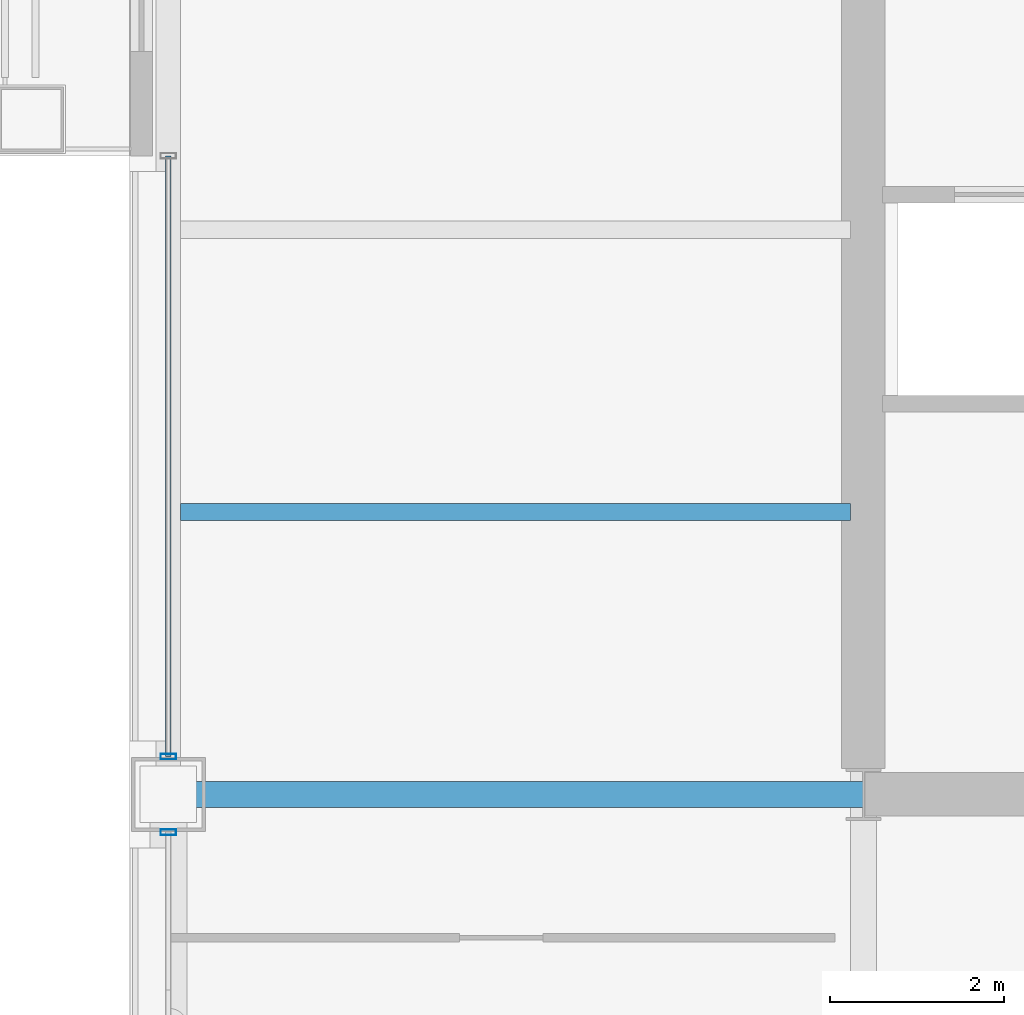
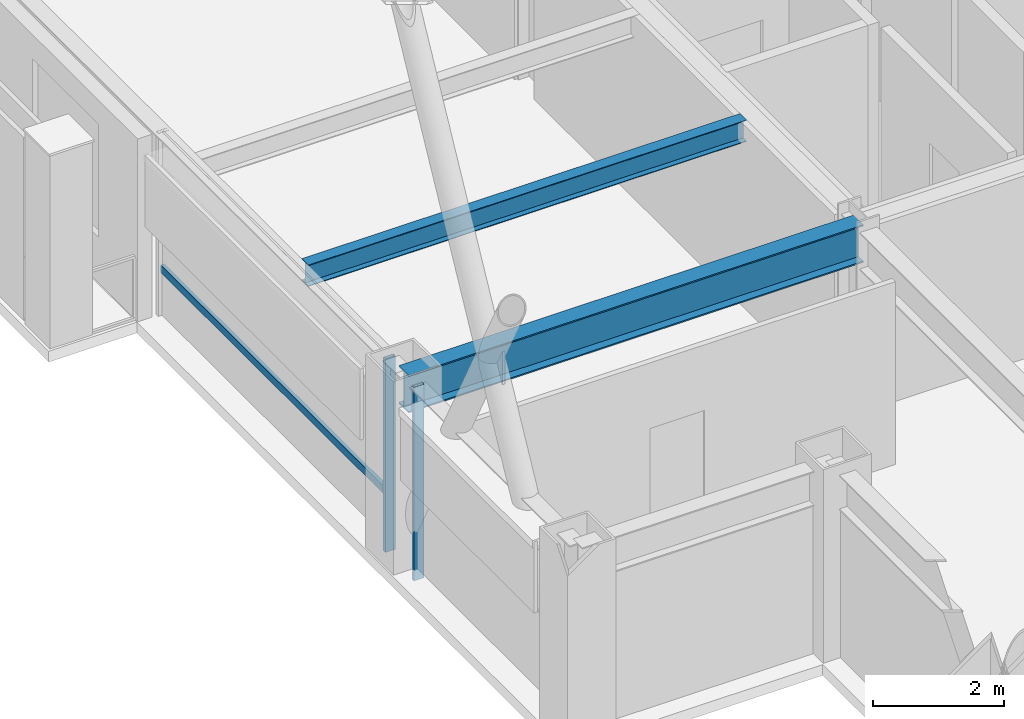
# One storey, part 4 of 32: 3 members, 2 beams, 2 elements without a shape of their own.
"""IFC4 building model written with IfcOpenShell, lengths in metres."""

import ifcopenshell
import ifcopenshell.guid

model = None  # the IFC model being written
_history = None  # IfcOwnerHistory: only IFC2X3 demands one
_inside = {}  # id of a spatial element -> (the spatial element, [elements in it])
_under = {}  # id of a project, library or spatial element -> (it, [spatial elements below it])
_declared = {}  # id of a project -> (the project, [libraries it declares])
_typed = {}  # id of a type object -> (the type object, [elements of that type])
_made_of = {}  # id of a material, layer set ... -> (it, [elements and type objects made of it])


def new_model(schema):
    """Start an empty IFC model of exactly this schema.

    Asked for "IFC4X3", IfcOpenShell would pick the latest addendum, in which some entities
    have other attributes; the version numbers below select the first issue.
    IFC2X3 requires an IfcOwnerHistory on every rooted entity: one is made here for all.
    """
    global model, _history
    if schema == "IFC4X3":
        model = ifcopenshell.file(schema_version=(4, 3, 0, 0))
    else:
        model = ifcopenshell.file(schema=schema)
    _inside.clear()
    _under.clear()
    _declared.clear()
    _typed.clear()
    _made_of.clear()
    _history = None
    if model.schema == "IFC2X3":
        org = make("IfcOrganization", Name="unknown")
        user = make(
            "IfcPersonAndOrganization",
            ThePerson=make("IfcPerson", FamilyName="unknown"),
            TheOrganization=org,
        )
        app = make(
            "IfcApplication",
            ApplicationDeveloper=org,
            Version="unknown",
            ApplicationFullName="unknown",
            ApplicationIdentifier="unknown",
        )
        _history = make(
            "IfcOwnerHistory",
            OwningUser=user,
            OwningApplication=app,
            ChangeAction="ADDED",
            CreationDate=0,
        )
    return model


def make(cls, **values):
    """One entity of the class cls with the attributes given. An attribute that is None is left unset."""
    return model.create_entity(
        cls, **{name: value for name, value in values.items() if value is not None}
    )


def rooted(cls, **values):
    """An entity with a GlobalId (a new one), such as an element, a storey or a relation."""
    return make(cls, GlobalId=ifcopenshell.guid.new(), OwnerHistory=_history, **values)


def si_unit(unit_type, name, prefix=None):
    """IfcSIUnit, for example si_unit("LENGTHUNIT", "METRE", prefix="MILLI")."""
    return make("IfcSIUnit", UnitType=unit_type, Prefix=prefix, Name=name)


def assignment(units):
    """IfcUnitAssignment: the units of a project."""
    return None if units is None else make("IfcUnitAssignment", Units=units)


def point(xyz):
    """IfcCartesianPoint."""
    return None if xyz is None else make("IfcCartesianPoint", Coordinates=xyz)


def direction(xyz):
    """IfcDirection."""
    return None if xyz is None else make("IfcDirection", DirectionRatios=xyz)


def frame(location, z_axis=None, x_axis=None):
    """IfcAxis2Placement3D, a coordinate frame: its origin and axes. An axis left out is left unset."""
    return make(
        "IfcAxis2Placement3D",
        Location=point(location),
        Axis=direction(z_axis),
        RefDirection=direction(x_axis),
    )


def frame_2d(location, x_axis=None):
    """IfcAxis2Placement2D, a coordinate frame in the plane: its origin and x axis."""
    return make(
        "IfcAxis2Placement2D", Location=point(location), RefDirection=direction(x_axis)
    )


def origin():
    """The frame at (0, 0, 0) with its axes left unset."""
    return frame((0.0, 0.0, 0.0))


def origin_2d():
    """The frame at (0, 0) in the plane with its x axis left unset."""
    return frame_2d((0.0, 0.0))


def place(relative_to, where):
    """IfcLocalPlacement: puts the frame where relative to a parent placement (None: the world)."""
    return make(
        "IfcLocalPlacement", PlacementRelTo=relative_to, RelativePlacement=where
    )


def context(
    kind, dimensions, precision=None, world=None, true_north=None, identifier=None
):
    """IfcGeometricRepresentationContext, for example the 3D "Model" context."""
    return make(
        "IfcGeometricRepresentationContext",
        ContextIdentifier=identifier,
        ContextType=kind,
        CoordinateSpaceDimension=dimensions,
        Precision=precision,
        WorldCoordinateSystem=world,
        TrueNorth=true_north,
    )


def subcontext(parent, identifier, kind, view, scale=None):
    """IfcGeometricRepresentationSubContext, for example "Body" below "Model"."""
    return make(
        "IfcGeometricRepresentationSubContext",
        ContextIdentifier=identifier,
        ContextType=kind,
        ParentContext=parent,
        TargetScale=scale,
        TargetView=view,
    )


def project(units=None, contexts=None):
    """IfcProject with its units and contexts."""
    return rooted(
        "IfcProject",
        Name="project",
        RepresentationContexts=contexts,
        UnitsInContext=assignment(units),
    )


def spatial(cls, under=None, at=None, **own):
    """A site, building, storey or space (cls), placed at a placement, below another one or the project."""
    s = rooted(cls, ObjectPlacement=at, **own)
    if under is not None:
        _under.setdefault(under.id(), (under, []))[1].append(s)
    return s


def profile(cls, at=None, kind="AREA", **sizes):
    """A parametric profile (cls). Its sizes go by their IFC names, for example OverallWidth=200.0."""
    return make(cls, ProfileType=kind, Position=at, **sizes)


def hollow_rectangle(**sizes):
    """IfcRectangleHollowProfileDef."""
    return profile("IfcRectangleHollowProfileDef", **sizes)


def i_section(**sizes):
    """IfcIShapeProfileDef."""
    return profile("IfcIShapeProfileDef", **sizes)


def extrude(swept, where, along, depth):
    """IfcExtrudedAreaSolid: the profile swept, set in the frame where, extruded along a direction by depth."""
    return make(
        "IfcExtrudedAreaSolid",
        SweptArea=swept,
        Position=where,
        ExtrudedDirection=direction(along),
        Depth=depth,
    )


def shape(context_of_items, identifier, shape_type, items):
    """IfcShapeRepresentation: the items that make up one representation, for example the "Body"."""
    return make(
        "IfcShapeRepresentation",
        ContextOfItems=context_of_items,
        RepresentationIdentifier=identifier,
        RepresentationType=shape_type,
        Items=items,
    )


def material(Name=None, Category=None):
    """IfcMaterial."""
    return make("IfcMaterial", Name=Name, Category=Category)


def layer(
    of_material, thickness, ventilated=None, Name=None, Category=None, Priority=None
):
    """IfcMaterialLayer: one layer of a wall or slab, of a material (None: an air gap)."""
    return make(
        "IfcMaterialLayer",
        Material=of_material,
        LayerThickness=thickness,
        IsVentilated=ventilated,
        Name=Name,
        Category=Category,
        Priority=Priority,
    )


def layer_set(layers, Name=None):
    """IfcMaterialLayerSet."""
    return make("IfcMaterialLayerSet", MaterialLayers=layers, LayerSetName=Name)


def material_profile(
    of_material, cross_section, Name=None, Category=None, Priority=None
):
    """IfcMaterialProfile: a cross section and its material."""
    return make(
        "IfcMaterialProfile",
        Name=Name,
        Material=of_material,
        Profile=cross_section,
        Priority=Priority,
        Category=Category,
    )


def profile_set(profiles, Name=None, composite=None):
    """IfcMaterialProfileSet."""
    return make(
        "IfcMaterialProfileSet",
        Name=Name,
        MaterialProfiles=profiles,
        CompositeProfile=composite,
    )


def made_of(thing, what):
    """Note that an element or type object is made of a material, layer set ...; save() writes the relation."""
    if what is not None:
        _made_of.setdefault(what.id(), (what, []))[1].append(thing)
    return thing


def type_object(cls, material=None, **own):
    """A type object (cls), such as IfcWallType, which elements share."""
    return made_of(rooted(cls, **own), material)


def element(
    cls,
    number,
    at=None,
    inside=None,
    cuts=None,
    type_object=None,
    material=None,
    context=None,
    identifier="Body",
    shape_type=None,
    held_by="IfcProductDefinitionShape",
    body=None,
    shapes=None,
    **own,
):
    """One element of the class cls, such as IfcWall. Its Tag is "e" and its number.

    at: its placement. inside: the storey or other place that contains it. cuts: it is an
    opening in that element (IfcRelVoidsElement). A single representation is given by context,
    identifier, shape_type and body (its items); several are given by shapes. held_by: the class
    of the entity that holds the representations. save() writes the other relations.
    """
    e = rooted(cls, Tag="e%d" % number, ObjectPlacement=at, **own)
    if body is not None:
        shapes = [shape(context, identifier, shape_type, body)]
    if shapes is not None:
        e.Representation = make(held_by, Representations=shapes)
    if inside is not None:
        _inside.setdefault(inside.id(), (inside, []))[1].append(e)
    if cuts is not None:
        rooted(
            "IfcRelVoidsElement", RelatingBuildingElement=cuts, RelatedOpeningElement=e
        )
    if type_object is not None:
        _typed.setdefault(type_object.id(), (type_object, []))[1].append(e)
    return made_of(e, material)


def aggregate(whole, parts):
    """IfcRelAggregates: a whole, such as a stair, and the parts it consists of."""
    return rooted("IfcRelAggregates", RelatingObject=whole, RelatedObjects=parts)


def save(model, path):
    """Write the relations noted so far, then the file.

    IfcRelAggregates (storeys below a building ...), IfcRelContainedInSpatialStructure (elements
    in a storey), IfcRelDefinesByType, IfcRelAssociatesMaterial and IfcRelDeclares: one each for
    every whole, place, type object, material and project.
    """
    for whole, parts in _under.values():
        aggregate(whole, parts)
    for where, things in _inside.values():
        rooted(
            "IfcRelContainedInSpatialStructure",
            RelatedElements=things,
            RelatingStructure=where,
        )
    for kind, things in _typed.values():
        rooted("IfcRelDefinesByType", RelatedObjects=things, RelatingType=kind)
    for what, things in _made_of.values():
        rooted("IfcRelAssociatesMaterial", RelatedObjects=things, RelatingMaterial=what)
    for by, libraries in _declared.values():
        rooted("IfcRelDeclares", RelatingContext=by, RelatedDefinitions=libraries)
    model.write(path)


model = new_model("IFC4")

# Units and contexts
model_context = context("Model", 3, precision=1e-05, world=origin(), true_north=direction((0.0, 1.0)))
body_context = subcontext(model_context, "Body", "Model", "MODEL_VIEW")
ifc_project = project(units=[si_unit("LENGTHUNIT", "METRE"), si_unit("AREAUNIT", "SQUARE_METRE"), si_unit("VOLUMEUNIT", "CUBIC_METRE"), si_unit("PLANEANGLEUNIT", "RADIAN"), si_unit("MASSUNIT", "GRAM", prefix="KILO")], contexts=[model_context])

# Site, building, storey
site_placement = place(None, origin())
site = spatial("IfcSite", under=ifc_project, at=site_placement, CompositionType="ELEMENT")
building_placement = place(site_placement, origin())
building = spatial("IfcBuilding", under=site, at=building_placement, Name="Brelmoor Portico Tower", CompositionType="ELEMENT")
storey_placement = place(building_placement, frame((0.0, 0.0, 109.800048828125)))
storey = spatial("IfcBuildingStorey", under=building, at=storey_placement, Name="L28", CompositionType="ELEMENT", Elevation=109.800048828125)

# Beams
ifc_material_1 = material(Name="Steel Q355B", Category="steel")
ifc_material_profile_1 = material_profile(ifc_material_1, i_section(OverallWidth=0.199951171875, OverallDepth=0.39990234375, WebThickness=0.008056640625, FlangeThickness=0.012939453125, at=origin_2d()), Name="HN 400x200x8x13")
ifc_profile_set_1 = profile_set([ifc_material_profile_1], Name="Steel Q355B")
beam_type_1 = type_object("IfcBeamType", Name="BM-JS-400", PredefinedType="JOIST", material=ifc_profile_set_1)
beam_1_placement = place(storey_placement, frame((-22.409912109375, -6.5, 3.199951171875), z_axis=(1.0, 0.0, 0.0), x_axis=(0.0, 1.0, 0.0)))
element("IfcBeam", 1, at=beam_1_placement, inside=storey, type_object=beam_type_1, Name="L28 Secondary Wing Joist JS-W05", PredefinedType="JOIST", context=body_context, shape_type="SweptSolid", body=[
    extrude(i_section(OverallWidth=0.199951171875, OverallDepth=0.39990234375, WebThickness=0.008056640625, FlangeThickness=0.012939453125, at=origin_2d()), origin(), (0.0, 0.0, 1.0), 7.7099609375),
])
ifc_material_profile_2 = material_profile(ifc_material_1, i_section(OverallWidth=0.300048828125, OverallDepth=0.699951171875, WebThickness=0.012939453125, FlangeThickness=0.02392578125, at=origin_2d()), Name="HN 700x300x13x24")
ifc_profile_set_2 = profile_set([ifc_material_profile_2], Name="Steel Q355B")
beam_type_2 = type_object("IfcBeamType", Name="BM-PG-700", PredefinedType="BEAM", material=ifc_profile_set_2)
beam_2_placement = place(storey_placement, frame((-22.550048828125, -9.75, 3.050048828125), z_axis=(1.0, 0.0, 0.0), x_axis=(0.0, 1.0, 0.0)))
element("IfcBeam", 2, at=beam_2_placement, inside=storey, type_object=beam_type_2, Name="L28 Primary Floor Girder PG-14", PredefinedType="BEAM", context=body_context, shape_type="SweptSolid", body=[
    extrude(i_section(OverallWidth=0.300048828125, OverallDepth=0.699951171875, WebThickness=0.012939453125, FlangeThickness=0.02392578125, at=origin_2d()), origin(), (0.0, 0.0, 1.0), 8.0),
])

# Curtain wall, member
ifc_material_2 = material(Name="Anodised Aluminium Alloy 6063-T6", Category="aluminium")
ifc_layer_1 = layer(ifc_material_2, 0.179931640625)
ifc_layer_set_1 = layer_set([ifc_layer_1], Name="Anodised Aluminium Alloy 6063-T6")
curtain_wall_type_1 = type_object("IfcCurtainWallType", Name="CW-TOWER-Z2-XB", PredefinedType="NOTDEFINED", material=ifc_layer_set_1)
curtain_wall_1_placement = place(storey_placement, origin())
curtain_wall_1 = element("IfcCurtainWall", 3, at=curtain_wall_1_placement, inside=storey, type_object=curtain_wall_type_1, Name="L28 Curtain Wall CW-L28-3L-1", PredefinedType="NOTDEFINED")
ifc_material_profile_3 = material_profile(ifc_material_2, hollow_rectangle(XDim=0.06494140625, YDim=0.179931640625, WallThickness=0.00390625, at=origin_2d()), Name="ALU MULLION 65x180")
ifc_profile_set_3 = profile_set([ifc_material_profile_3], Name="Anodised Aluminium Alloy 6063-T6")
member_type_1 = type_object("IfcMemberType", Name="MB-CW-MULL-180", PredefinedType="MULLION", material=ifc_profile_set_3)
member_1_placement = place(storey_placement, frame((-22.550048828125, -10.18505859375, -0.199951171875), z_axis=(0.0, 0.0, 1.0), x_axis=(0.0, 1.0, 0.0)))
member_1 = element("IfcMember", 4, at=member_1_placement, type_object=member_type_1, Name="CW-L28-3L-1 Mullion 01", PredefinedType="MULLION", context=body_context, shape_type="SweptSolid", body=[
    extrude(hollow_rectangle(XDim=0.06494140625, YDim=0.179931640625, WallThickness=0.00390625, at=origin_2d()), origin(), (0.0, 0.0, 1.0), 3.599853515625),
])
aggregate(curtain_wall_1, [member_1])

# Curtain wall, members
ifc_layer_2 = layer(ifc_material_2, 0.179931640625)
ifc_layer_set_2 = layer_set([ifc_layer_2], Name="Anodised Aluminium Alloy 6063-T6")
curtain_wall_type_2 = type_object("IfcCurtainWallType", Name="CW-TOWER-Z2", PredefinedType="NOTDEFINED", material=ifc_layer_set_2)
curtain_wall_2_placement = place(storey_placement, origin())
curtain_wall_2 = element("IfcCurtainWall", 5, at=curtain_wall_2_placement, inside=storey, type_object=curtain_wall_type_2, Name="L28 Curtain Wall CW-L28-3L-2", PredefinedType="NOTDEFINED")
member_2_placement = place(storey_placement, frame((-22.550048828125, -9.31494140625, -0.199951171875), z_axis=(0.0, 0.0, 1.0), x_axis=(0.0, 1.0, 0.0)))
member_2 = element("IfcMember", 6, at=member_2_placement, type_object=member_type_1, Name="CW-L28-3L-2 Mullion 00", PredefinedType="MULLION", context=body_context, shape_type="SweptSolid", body=[
    extrude(hollow_rectangle(XDim=0.06494140625, YDim=0.179931640625, WallThickness=0.00390625, at=origin_2d()), origin(), (0.0, 0.0, 1.0), 3.599853515625),
])
ifc_material_profile_4 = material_profile(ifc_material_2, hollow_rectangle(XDim=0.06494140625, YDim=0.139892578125, WallThickness=0.00390625, at=origin_2d()), Name="ALU TRANSOM 65x140")
ifc_profile_set_4 = profile_set([ifc_material_profile_4], Name="Anodised Aluminium Alloy 6063-T6")
member_type_2 = type_object("IfcMemberType", Name="MB-CW-TRAN-140", PredefinedType="USERDEFINED", material=ifc_profile_set_4)
member_3_placement = place(storey_placement, frame((-22.550048828125, -9.31494140625, 0.849853515625), z_axis=(0.0, 1.0, 0.0), x_axis=(-1.0, 0.0, 0.0)))
member_3 = element("IfcMember", 7, at=member_3_placement, type_object=member_type_2, Name="CW-L28-3L-2 Transom 1-00", ObjectType="TRANSOM", PredefinedType="USERDEFINED", context=body_context, shape_type="SweptSolid", body=[
    extrude(hollow_rectangle(XDim=0.06494140625, YDim=0.139892578125, WallThickness=0.00390625, at=origin_2d()), origin(), (0.0, 0.0, 1.0), 6.9150390625),
])
aggregate(curtain_wall_2, [member_2, member_3])

save(model, "model.ifc")
